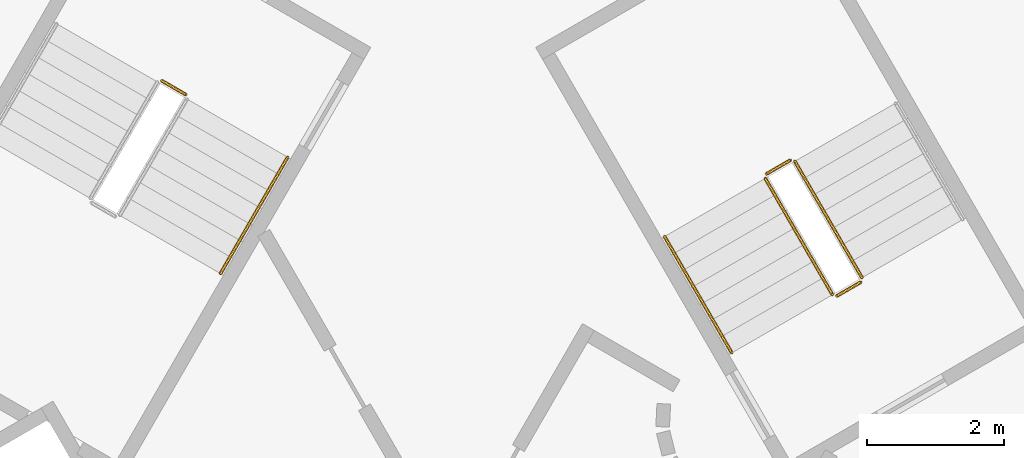
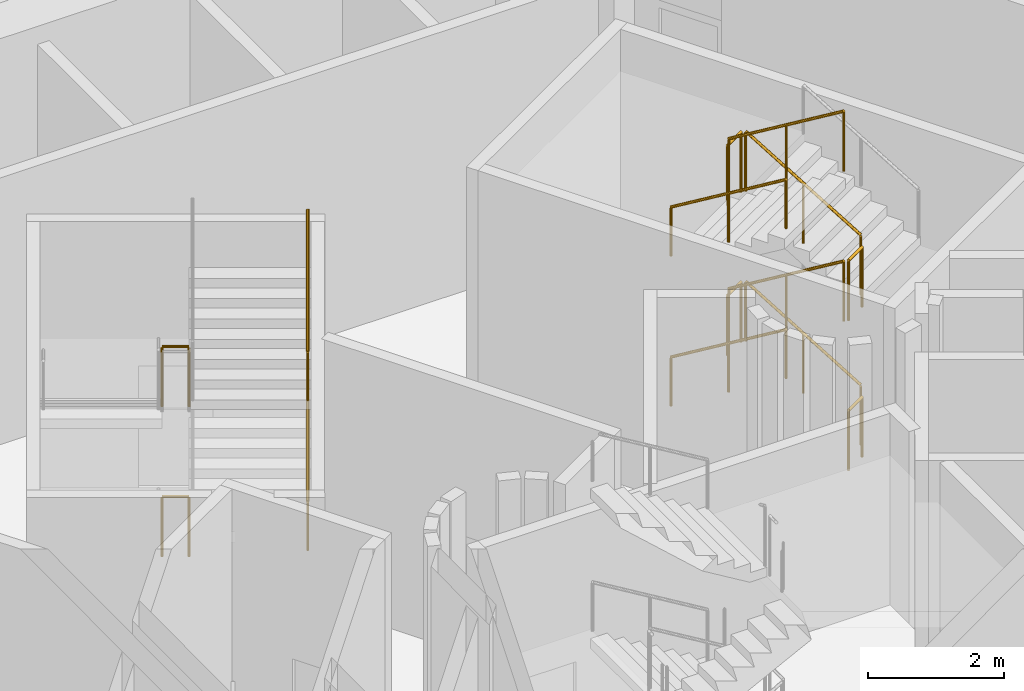
# One storey, part 19 of 22: 14 railings.
"""IFC4 building model written with IfcOpenShell, lengths in metres."""

from ifc_helpers import new_model, si_unit, direction, frame, origin, origin_2d, place, context, subcontext, project, spatial, circle, extrude, material, type_object, element, save


model = new_model("IFC4")

# Units and contexts
model_context = context("Model", 3, precision=1e-05, world=origin(), true_north=direction((0.0, 1.0)))
body_context = subcontext(model_context, "Body", "Model", "MODEL_VIEW")
ifc_project = project(units=[si_unit("LENGTHUNIT", "METRE"), si_unit("AREAUNIT", "SQUARE_METRE"), si_unit("VOLUMEUNIT", "CUBIC_METRE"), si_unit("PLANEANGLEUNIT", "RADIAN"), si_unit("MASSUNIT", "GRAM", prefix="KILO")], contexts=[model_context])

# Site, building, storey
site_placement = place(None, origin())
site = spatial("IfcSite", under=ifc_project, at=site_placement, CompositionType="ELEMENT")
building_placement = place(site_placement, origin())
building = spatial("IfcBuilding", under=site, at=building_placement, Name="Entoto Arch Interchange Tower", CompositionType="ELEMENT")
storey_placement = place(building_placement, frame((0.0, 0.0, 132.800048828125)))
storey = spatial("IfcBuildingStorey", under=building, at=storey_placement, Name="L29", CompositionType="ELEMENT", Elevation=132.800048828125)

# Railings
ifc_material = material(Name="Stainless steel 1.4301", Category="steel")
railing_type_1 = type_object("IfcRailingType", Name="STAIR GUARD 1100 STEEL", PredefinedType="GUARDRAIL", material=ifc_material)
railing_1_placement = place(storey_placement, frame((5.977783203125, 4.046142578125, 0.168701171875)))
element("IfcRailing", 1, at=railing_1_placement, inside=storey, type_object=railing_type_1, Name="L29 ST-NE stair guard 1", PredefinedType="GUARDRAIL", context=body_context, shape_type="SweptSolid", body=[
    extrude(circle(Radius=0.02392578125, at=origin_2d()), frame((0.0, 0.0, 1.076171875), z_axis=(-0.428262048313, 0.74172340804, 0.516176330279), x_axis=(-0.866011328839, -0.500024377727, 0.0)), (0.0, 0.0, 1.0), 2.288330078125),
    extrude(circle(Radius=0.02099609375, at=origin_2d()), origin(), (0.0, 0.0, 1.0), 1.052001953125),
    extrude(circle(Radius=0.02099609375, at=origin_2d()), frame((-0.489990234375, 0.8486328125, 0.590576171875)), (0.0, 0.0, 1.0), 1.052001953125),
    extrude(circle(Radius=0.02099609375, at=origin_2d()), frame((-0.97998046875, 1.697265625, 1.18115234375)), (0.0, 0.0, 1.0), 1.052001953125),
])
railing_2_placement = place(storey_placement, frame((4.929443359375, 5.76171875, 1.349853515625)))
element("IfcRailing", 2, at=railing_2_placement, inside=storey, type_object=railing_type_1, Name="L29 ST-NE stair guard 2", PredefinedType="GUARDRAIL", context=body_context, shape_type="SweptSolid", body=[
    extrude(circle(Radius=0.02392578125, at=origin_2d()), frame((0.0, 0.0, 1.076171875), z_axis=(-0.865941482684, -0.500145327446, 0.0), x_axis=(0.500145327446, -0.865941482684, 0.0)), (0.0, 0.0, 1.0), 0.39990234375),
    extrude(circle(Radius=0.02099609375, at=origin_2d()), origin(), (0.0, 0.0, 1.0), 1.052001953125),
    extrude(circle(Radius=0.02099609375, at=origin_2d()), frame((-0.34619140625, -0.199951171875, 0.0)), (0.0, 0.0, 1.0), 1.052001953125),
])
railing_3_placement = place(storey_placement, frame((4.56494140625, 5.493408203125, 1.518798828125)))
element("IfcRailing", 3, at=railing_3_placement, inside=storey, type_object=railing_type_1, Name="L29 ST-NE stair guard 3", PredefinedType="GUARDRAIL", context=body_context, shape_type="SweptSolid", body=[
    extrude(circle(Radius=0.02392578125, at=origin_2d()), frame((0.0, 0.0, 1.076171875), z_axis=(0.428262048313, -0.74172340804, 0.516176330279), x_axis=(0.866011328839, 0.500024377727, 0.0)), (0.0, 0.0, 1.0), 2.288330078125),
    extrude(circle(Radius=0.02099609375, at=origin_2d()), origin(), (0.0, 0.0, 1.0), 1.052001953125),
    extrude(circle(Radius=0.02099609375, at=origin_2d()), frame((0.489990234375, -0.8486328125, 0.590576171875)), (0.0, 0.0, 1.0), 1.052001953125),
    extrude(circle(Radius=0.02099609375, at=origin_2d()), frame((0.97998046875, -1.697265625, 1.18115234375)), (0.0, 0.0, 1.0), 1.052001953125),
])
railing_4_placement = place(storey_placement, frame((5.95947265625, 3.977783203125, 2.699951171875)))
element("IfcRailing", 4, at=railing_4_placement, inside=storey, type_object=railing_type_1, Name="L29 ST-NE stair guard 4", PredefinedType="GUARDRAIL", context=body_context, shape_type="SweptSolid", body=[
    extrude(circle(Radius=0.02392578125, at=origin_2d()), frame((0.0, 0.0, 1.076171875), z_axis=(-0.866094119867, -0.499880961361, 0.0), x_axis=(0.499880961361, -0.866094119867, 0.0)), (0.0, 0.0, 1.0), 0.39990234375),
    extrude(circle(Radius=0.02099609375, at=origin_2d()), origin(), (0.0, 0.0, 1.0), 1.052001953125),
    extrude(circle(Radius=0.02099609375, at=origin_2d()), frame((-0.346435546875, -0.199951171875, 0.0)), (0.0, 0.0, 1.0), 1.052001953125),
])
railing_5_placement = place(storey_placement, frame((5.977783203125, 4.046142578125, 2.86865234375)))
element("IfcRailing", 5, at=railing_5_placement, inside=storey, type_object=railing_type_1, Name="L29 ST-NE stair guard 5", PredefinedType="GUARDRAIL", context=body_context, shape_type="SweptSolid", body=[
    extrude(circle(Radius=0.02392578125, at=origin_2d()), frame((0.0, 0.0, 1.076171875), z_axis=(-0.428238462606, 0.741682559053, 0.516254589076), x_axis=(-0.866011328839, -0.500024377727, 0.0)), (0.0, 0.0, 1.0), 2.288330078125),
    extrude(circle(Radius=0.02099609375, at=origin_2d()), origin(), (0.0, 0.0, 1.0), 1.052001953125),
    extrude(circle(Radius=0.02099609375, at=origin_2d()), frame((-0.489990234375, 0.8486328125, 0.5908203125)), (0.0, 0.0, 1.0), 1.052001953125),
    extrude(circle(Radius=0.02099609375, at=origin_2d()), frame((-0.97998046875, 1.697265625, 1.181396484375)), (0.0, 0.0, 1.0), 1.052001953125),
])
railing_6_placement = place(storey_placement, frame((4.929443359375, 5.76171875, 4.050048828125)))
element("IfcRailing", 6, at=railing_6_placement, inside=storey, type_object=railing_type_1, Name="L29 ST-NE stair guard 6", PredefinedType="GUARDRAIL", context=body_context, shape_type="SweptSolid", body=[
    extrude(circle(Radius=0.02392578125, at=origin_2d()), frame((0.0, 0.0, 1.076171875), z_axis=(-0.865941482684, -0.500145327446, 0.0), x_axis=(0.500145327446, -0.865941482684, 0.0)), (0.0, 0.0, 1.0), 0.39990234375),
    extrude(circle(Radius=0.02099609375, at=origin_2d()), origin(), (0.0, 0.0, 1.0), 1.052001953125),
    extrude(circle(Radius=0.02099609375, at=origin_2d()), frame((-0.34619140625, -0.199951171875, 0.0)), (0.0, 0.0, 1.0), 1.052001953125),
])
railing_7_placement = place(storey_placement, frame((4.56494140625, 5.493408203125, 4.21875)))
element("IfcRailing", 7, at=railing_7_placement, inside=storey, type_object=railing_type_1, Name="L29 ST-NE stair guard 7", PredefinedType="GUARDRAIL", context=body_context, shape_type="SweptSolid", body=[
    extrude(circle(Radius=0.02392578125, at=origin_2d()), frame((0.0, 0.0, 1.076171875), z_axis=(0.428262048313, -0.74172340804, 0.516176330279), x_axis=(0.866011328839, 0.500024377727, 0.0)), (0.0, 0.0, 1.0), 2.288330078125),
    extrude(circle(Radius=0.02099609375, at=origin_2d()), origin(), (0.0, 0.0, 1.0), 1.052001953125),
    extrude(circle(Radius=0.02099609375, at=origin_2d()), frame((0.489990234375, -0.8486328125, 0.590576171875)), (0.0, 0.0, 1.0), 1.052001953125),
    extrude(circle(Radius=0.02099609375, at=origin_2d()), frame((0.97998046875, -1.697265625, 1.18115234375)), (0.0, 0.0, 1.0), 1.052001953125),
])
railing_8_placement = place(storey_placement, frame((5.95947265625, 3.977783203125, 0.0)))
element("IfcRailing", 8, at=railing_8_placement, inside=storey, type_object=railing_type_1, Name="L29 ST-NE stair guard 8", PredefinedType="GUARDRAIL", context=body_context, shape_type="SweptSolid", body=[
    extrude(circle(Radius=0.02392578125, at=origin_2d()), frame((0.0, 0.0, 1.076171875), z_axis=(-0.866094119867, -0.499880961361, 0.0), x_axis=(0.499880961361, -0.866094119867, 0.0)), (0.0, 0.0, 1.0), 0.39990234375),
    extrude(circle(Radius=0.02099609375, at=origin_2d()), origin(), (0.0, 0.0, 1.0), 1.052001953125),
    extrude(circle(Radius=0.02099609375, at=origin_2d()), frame((-0.346435546875, -0.199951171875, 0.0)), (0.0, 0.0, 1.0), 1.052001953125),
])
for number, where, name in (
    (9, (-4.259521484375, 6.92236328125, 2.699951171875), "L29 ST-NW stair guard 4"),
    (10, (-4.259521484375, 6.92236328125, 0.0), "L29 ST-NW stair guard 8"),
):
    element("IfcRailing", number, at=place(storey_placement, frame(where)), inside=storey, type_object=railing_type_1, Name=name, PredefinedType="GUARDRAIL", context=body_context, shape_type="SweptSolid", body=[
        extrude(circle(Radius=0.02392578125, at=origin_2d()), frame((0.0, 0.0, 1.076171875), z_axis=(0.865829829939, -0.500338590944, 0.0), x_axis=(0.500338590944, 0.865829829939, 0.0)), (0.0, 0.0, 1.0), 0.400146484375),
        extrude(circle(Radius=0.02099609375, at=origin_2d()), origin(), (0.0, 0.0, 1.0), 1.052001953125),
        extrude(circle(Radius=0.02099609375, at=origin_2d()), frame((0.346435546875, -0.2001953125, 0.0)), (0.0, 0.0, 1.0), 1.052001953125),
    ])
railing_type_2 = type_object("IfcRailingType", Name="STAIR HANDRAIL 900 STEEL", PredefinedType="HANDRAIL", material=ifc_material)
for number, where, name in (
    (11, (3.092529296875, 4.6435546875, 1.518798828125), "L29 ST-NE stair handrail 2"),
    (12, (3.092529296875, 4.6435546875, 4.21875), "L29 ST-NE stair handrail 4"),
):
    element("IfcRailing", number, at=place(storey_placement, frame(where)), inside=storey, type_object=railing_type_2, Name=name, PredefinedType="HANDRAIL", context=body_context, shape_type="SweptSolid", body=[
        extrude(circle(Radius=0.02392578125, at=origin_2d()), frame((0.0, 0.0, 0.8759765625), z_axis=(0.428228158944, -0.741771397394, 0.516135484049), x_axis=(0.866042469362, 0.499970440388, 0.0)), (0.0, 0.0, 1.0), 2.28857421875),
        extrude(circle(Radius=0.02099609375, at=origin_2d()), origin(), (0.0, 0.0, 1.0), 0.851806640625),
        extrude(circle(Radius=0.02099609375, at=origin_2d()), frame((0.489990234375, -0.8486328125, 0.590576171875)), (0.0, 0.0, 1.0), 0.851806640625),
        extrude(circle(Radius=0.02099609375, at=origin_2d()), frame((0.97998046875, -1.697509765625, 1.18115234375)), (0.0, 0.0, 1.0), 0.851806640625),
    ])
for number, where, name in (
    (13, (-3.402587890625, 4.1064453125, 1.518798828125), "L29 ST-NW stair handrail 2"),
    (14, (-3.402587890625, 4.1064453125, 4.21875), "L29 ST-NW stair handrail 4"),
):
    element("IfcRailing", number, at=place(storey_placement, frame(where)), inside=storey, type_object=railing_type_2, Name=name, PredefinedType="HANDRAIL", context=body_context, shape_type="SweptSolid", body=[
        extrude(circle(Radius=0.02392578125, at=origin_2d()), frame((0.0, 0.0, 0.8759765625), z_axis=(0.428228158944, 0.741771397394, 0.516135484049), x_axis=(-0.866042469362, 0.499970440388, 0.0)), (0.0, 0.0, 1.0), 2.28857421875),
        extrude(circle(Radius=0.02099609375, at=origin_2d()), origin(), (0.0, 0.0, 1.0), 0.851806640625),
        extrude(circle(Radius=0.02099609375, at=origin_2d()), frame((0.489990234375, 0.8486328125, 0.590576171875)), (0.0, 0.0, 1.0), 0.851806640625),
        extrude(circle(Radius=0.02099609375, at=origin_2d()), frame((0.97998046875, 1.697509765625, 1.18115234375)), (0.0, 0.0, 1.0), 0.851806640625),
    ])

save(model, "model.ifc")
